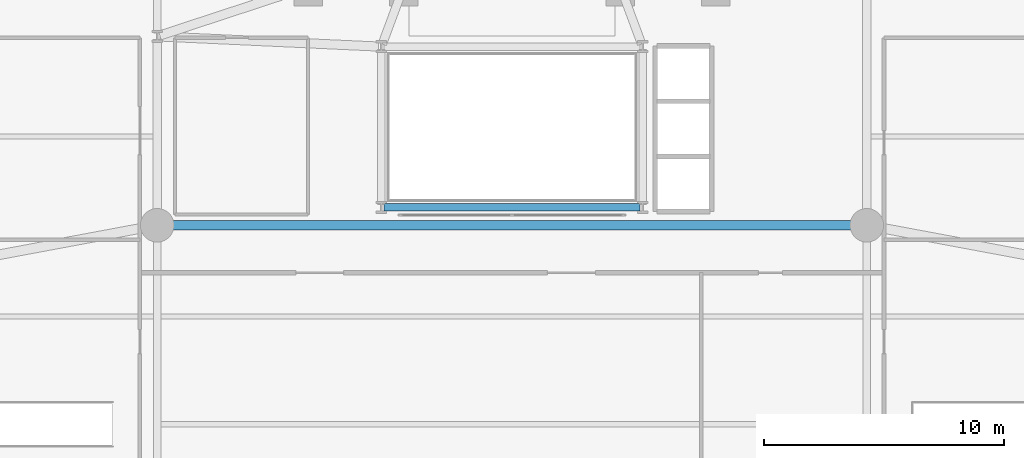
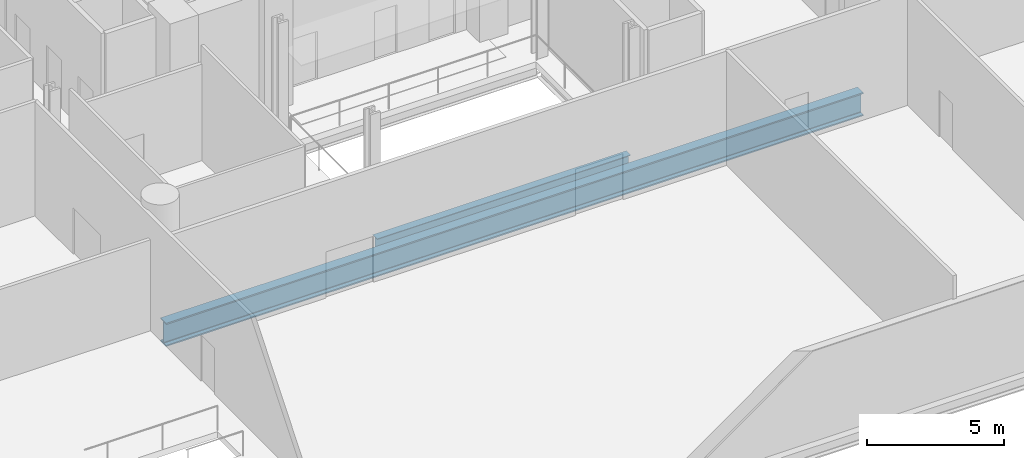
# One storey, part 11 of 31: 2 beams.
"""IFC4 building model written with IfcOpenShell, lengths in metres."""

import ifcopenshell
import ifcopenshell.guid

model = None  # the IFC model being written
_history = None  # IfcOwnerHistory: only IFC2X3 demands one
_inside = {}  # id of a spatial element -> (the spatial element, [elements in it])
_under = {}  # id of a project, library or spatial element -> (it, [spatial elements below it])
_declared = {}  # id of a project -> (the project, [libraries it declares])
_typed = {}  # id of a type object -> (the type object, [elements of that type])
_made_of = {}  # id of a material, layer set ... -> (it, [elements and type objects made of it])


def new_model(schema):
    """Start an empty IFC model of exactly this schema.

    Asked for "IFC4X3", IfcOpenShell would pick the latest addendum, in which some entities
    have other attributes; the version numbers below select the first issue.
    IFC2X3 requires an IfcOwnerHistory on every rooted entity: one is made here for all.
    """
    global model, _history
    if schema == "IFC4X3":
        model = ifcopenshell.file(schema_version=(4, 3, 0, 0))
    else:
        model = ifcopenshell.file(schema=schema)
    _inside.clear()
    _under.clear()
    _declared.clear()
    _typed.clear()
    _made_of.clear()
    _history = None
    if model.schema == "IFC2X3":
        org = make("IfcOrganization", Name="unknown")
        user = make(
            "IfcPersonAndOrganization",
            ThePerson=make("IfcPerson", FamilyName="unknown"),
            TheOrganization=org,
        )
        app = make(
            "IfcApplication",
            ApplicationDeveloper=org,
            Version="unknown",
            ApplicationFullName="unknown",
            ApplicationIdentifier="unknown",
        )
        _history = make(
            "IfcOwnerHistory",
            OwningUser=user,
            OwningApplication=app,
            ChangeAction="ADDED",
            CreationDate=0,
        )
    return model


def make(cls, **values):
    """One entity of the class cls with the attributes given. An attribute that is None is left unset."""
    return model.create_entity(
        cls, **{name: value for name, value in values.items() if value is not None}
    )


def rooted(cls, **values):
    """An entity with a GlobalId (a new one), such as an element, a storey or a relation."""
    return make(cls, GlobalId=ifcopenshell.guid.new(), OwnerHistory=_history, **values)


def si_unit(unit_type, name, prefix=None):
    """IfcSIUnit, for example si_unit("LENGTHUNIT", "METRE", prefix="MILLI")."""
    return make("IfcSIUnit", UnitType=unit_type, Prefix=prefix, Name=name)


def assignment(units):
    """IfcUnitAssignment: the units of a project."""
    return None if units is None else make("IfcUnitAssignment", Units=units)


def point(xyz):
    """IfcCartesianPoint."""
    return None if xyz is None else make("IfcCartesianPoint", Coordinates=xyz)


def direction(xyz):
    """IfcDirection."""
    return None if xyz is None else make("IfcDirection", DirectionRatios=xyz)


def frame(location, z_axis=None, x_axis=None):
    """IfcAxis2Placement3D, a coordinate frame: its origin and axes. An axis left out is left unset."""
    return make(
        "IfcAxis2Placement3D",
        Location=point(location),
        Axis=direction(z_axis),
        RefDirection=direction(x_axis),
    )


def frame_2d(location, x_axis=None):
    """IfcAxis2Placement2D, a coordinate frame in the plane: its origin and x axis."""
    return make(
        "IfcAxis2Placement2D", Location=point(location), RefDirection=direction(x_axis)
    )


def origin():
    """The frame at (0, 0, 0) with its axes left unset."""
    return frame((0.0, 0.0, 0.0))


def origin_2d():
    """The frame at (0, 0) in the plane with its x axis left unset."""
    return frame_2d((0.0, 0.0))


def place(relative_to, where):
    """IfcLocalPlacement: puts the frame where relative to a parent placement (None: the world)."""
    return make(
        "IfcLocalPlacement", PlacementRelTo=relative_to, RelativePlacement=where
    )


def context(
    kind, dimensions, precision=None, world=None, true_north=None, identifier=None
):
    """IfcGeometricRepresentationContext, for example the 3D "Model" context."""
    return make(
        "IfcGeometricRepresentationContext",
        ContextIdentifier=identifier,
        ContextType=kind,
        CoordinateSpaceDimension=dimensions,
        Precision=precision,
        WorldCoordinateSystem=world,
        TrueNorth=true_north,
    )


def subcontext(parent, identifier, kind, view, scale=None):
    """IfcGeometricRepresentationSubContext, for example "Body" below "Model"."""
    return make(
        "IfcGeometricRepresentationSubContext",
        ContextIdentifier=identifier,
        ContextType=kind,
        ParentContext=parent,
        TargetScale=scale,
        TargetView=view,
    )


def project(units=None, contexts=None):
    """IfcProject with its units and contexts."""
    return rooted(
        "IfcProject",
        Name="project",
        RepresentationContexts=contexts,
        UnitsInContext=assignment(units),
    )


def spatial(cls, under=None, at=None, **own):
    """A site, building, storey or space (cls), placed at a placement, below another one or the project."""
    s = rooted(cls, ObjectPlacement=at, **own)
    if under is not None:
        _under.setdefault(under.id(), (under, []))[1].append(s)
    return s


def profile(cls, at=None, kind="AREA", **sizes):
    """A parametric profile (cls). Its sizes go by their IFC names, for example OverallWidth=200.0."""
    return make(cls, ProfileType=kind, Position=at, **sizes)


def i_section(**sizes):
    """IfcIShapeProfileDef."""
    return profile("IfcIShapeProfileDef", **sizes)


def extrude(swept, where, along, depth):
    """IfcExtrudedAreaSolid: the profile swept, set in the frame where, extruded along a direction by depth."""
    return make(
        "IfcExtrudedAreaSolid",
        SweptArea=swept,
        Position=where,
        ExtrudedDirection=direction(along),
        Depth=depth,
    )


def shape(context_of_items, identifier, shape_type, items):
    """IfcShapeRepresentation: the items that make up one representation, for example the "Body"."""
    return make(
        "IfcShapeRepresentation",
        ContextOfItems=context_of_items,
        RepresentationIdentifier=identifier,
        RepresentationType=shape_type,
        Items=items,
    )


def material(Name=None, Category=None):
    """IfcMaterial."""
    return make("IfcMaterial", Name=Name, Category=Category)


def material_profile(
    of_material, cross_section, Name=None, Category=None, Priority=None
):
    """IfcMaterialProfile: a cross section and its material."""
    return make(
        "IfcMaterialProfile",
        Name=Name,
        Material=of_material,
        Profile=cross_section,
        Priority=Priority,
        Category=Category,
    )


def profile_set(profiles, Name=None, composite=None):
    """IfcMaterialProfileSet."""
    return make(
        "IfcMaterialProfileSet",
        Name=Name,
        MaterialProfiles=profiles,
        CompositeProfile=composite,
    )


def made_of(thing, what):
    """Note that an element or type object is made of a material, layer set ...; save() writes the relation."""
    if what is not None:
        _made_of.setdefault(what.id(), (what, []))[1].append(thing)
    return thing


def type_object(cls, material=None, **own):
    """A type object (cls), such as IfcWallType, which elements share."""
    return made_of(rooted(cls, **own), material)


def element(
    cls,
    number,
    at=None,
    inside=None,
    cuts=None,
    type_object=None,
    material=None,
    context=None,
    identifier="Body",
    shape_type=None,
    held_by="IfcProductDefinitionShape",
    body=None,
    shapes=None,
    **own,
):
    """One element of the class cls, such as IfcWall. Its Tag is "e" and its number.

    at: its placement. inside: the storey or other place that contains it. cuts: it is an
    opening in that element (IfcRelVoidsElement). A single representation is given by context,
    identifier, shape_type and body (its items); several are given by shapes. held_by: the class
    of the entity that holds the representations. save() writes the other relations.
    """
    e = rooted(cls, Tag="e%d" % number, ObjectPlacement=at, **own)
    if body is not None:
        shapes = [shape(context, identifier, shape_type, body)]
    if shapes is not None:
        e.Representation = make(held_by, Representations=shapes)
    if inside is not None:
        _inside.setdefault(inside.id(), (inside, []))[1].append(e)
    if cuts is not None:
        rooted(
            "IfcRelVoidsElement", RelatingBuildingElement=cuts, RelatedOpeningElement=e
        )
    if type_object is not None:
        _typed.setdefault(type_object.id(), (type_object, []))[1].append(e)
    return made_of(e, material)


def aggregate(whole, parts):
    """IfcRelAggregates: a whole, such as a stair, and the parts it consists of."""
    return rooted("IfcRelAggregates", RelatingObject=whole, RelatedObjects=parts)


def save(model, path):
    """Write the relations noted so far, then the file.

    IfcRelAggregates (storeys below a building ...), IfcRelContainedInSpatialStructure (elements
    in a storey), IfcRelDefinesByType, IfcRelAssociatesMaterial and IfcRelDeclares: one each for
    every whole, place, type object, material and project.
    """
    for whole, parts in _under.values():
        aggregate(whole, parts)
    for where, things in _inside.values():
        rooted(
            "IfcRelContainedInSpatialStructure",
            RelatedElements=things,
            RelatingStructure=where,
        )
    for kind, things in _typed.values():
        rooted("IfcRelDefinesByType", RelatedObjects=things, RelatingType=kind)
    for what, things in _made_of.values():
        rooted("IfcRelAssociatesMaterial", RelatedObjects=things, RelatingMaterial=what)
    for by, libraries in _declared.values():
        rooted("IfcRelDeclares", RelatingContext=by, RelatedDefinitions=libraries)
    model.write(path)


model = new_model("IFC4")

# Units and contexts
model_context = context("Model", 3, precision=1e-05, world=origin(), true_north=direction((0.0, 1.0)))
body_context = subcontext(model_context, "Body", "Model", "MODEL_VIEW")
ifc_project = project(units=[si_unit("LENGTHUNIT", "METRE"), si_unit("AREAUNIT", "SQUARE_METRE"), si_unit("VOLUMEUNIT", "CUBIC_METRE"), si_unit("PLANEANGLEUNIT", "RADIAN"), si_unit("MASSUNIT", "GRAM", prefix="KILO")], contexts=[model_context])

# Site, building, storey
site_placement = place(None, origin())
site = spatial("IfcSite", under=ifc_project, at=site_placement, CompositionType="ELEMENT")
building_placement = place(site_placement, origin())
building = spatial("IfcBuilding", under=site, at=building_placement, Name="Varnelok Gate Tower", CompositionType="ELEMENT")
storey_placement = place(building_placement, frame((0.0, 0.0, 16.199951171875)))
storey = spatial("IfcBuildingStorey", under=building, at=storey_placement, Name="L03", CompositionType="ELEMENT", Elevation=16.199951171875)

# Beams
ifc_material = material(Name="Structural Steel ASTM A992 Grade 50", Category="steel")
ifc_material_profile_1 = material_profile(ifc_material, i_section(OverallWidth=0.323974609375, OverallDepth=0.611083984375, WebThickness=0.0126953125, FlangeThickness=0.01904296875, FilletRadius=0.01806640625, at=origin_2d()), Name="W24X104")
ifc_profile_set_1 = profile_set([ifc_material_profile_1], Name="Structural Steel ASTM A992 Grade 50")
beam_type_1 = type_object("IfcBeamType", Name="BM-SPN-W24X104", PredefinedType="SPANDREL", material=ifc_profile_set_1)
beam_1_placement = place(storey_placement, frame((33.8701171875, 19.550048828125, -0.58544921875), z_axis=(1.0, 0.0, 0.0), x_axis=(0.0, 1.0, 0.0)))
element("IfcBeam", 1, at=beam_1_placement, inside=storey, type_object=beam_type_1, Name="L03 Core-Atrium Spine Beam 8", PredefinedType="SPANDREL", context=body_context, shape_type="SweptSolid", body=[
    extrude(i_section(OverallWidth=0.323974609375, OverallDepth=0.611083984375, WebThickness=0.0126953125, FlangeThickness=0.01904296875, FilletRadius=0.01806640625, at=origin_2d()), origin(), (0.0, 0.0, 1.0), 10.659912109375),
])
ifc_material_profile_2 = material_profile(ifc_material, i_section(OverallWidth=0.409912109375, OverallDepth=1.0400390625, WebThickness=0.031005859375, FlangeThickness=0.055908203125, FilletRadius=0.030029296875, at=origin_2d()), Name="W40X397")
ifc_profile_set_2 = profile_set([ifc_material_profile_2], Name="Structural Steel ASTM A992 Grade 50")
beam_type_2 = type_object("IfcBeamType", Name="BM-TIE-W40X397", PredefinedType="BEAM", material=ifc_profile_set_2)
beam_2_placement = place(storey_placement, frame((24.5400390625, 18.800048828125, -0.800048828125), z_axis=(1.0, 0.0, 0.0), x_axis=(0.0, 1.0, 0.0)))
element("IfcBeam", 2, at=beam_2_placement, inside=storey, type_object=beam_type_2, Name="L03 Podium Primary Girder 25", PredefinedType="BEAM", context=body_context, shape_type="SweptSolid", body=[
    extrude(i_section(OverallWidth=0.409912109375, OverallDepth=1.0400390625, WebThickness=0.031005859375, FlangeThickness=0.055908203125, FilletRadius=0.030029296875, at=origin_2d()), origin(), (0.0, 0.0, 1.0), 29.320068359375),
])

save(model, "model.ifc")
